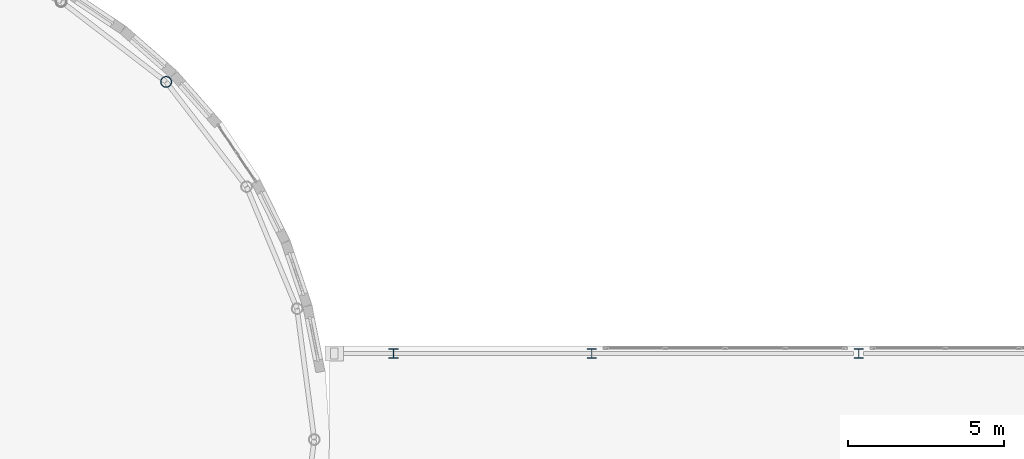
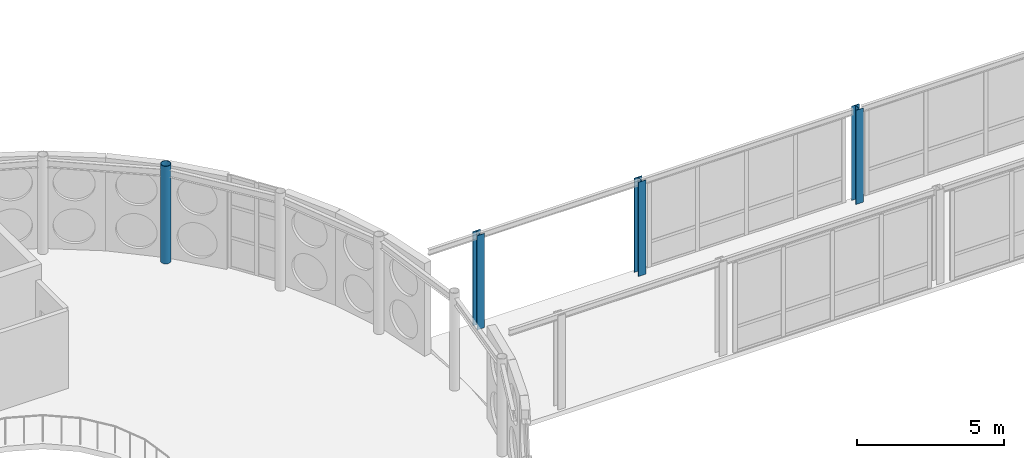
# One storey, part 8 of 165: 4 columns.
"""IFC4 building model written with IfcOpenShell, lengths in metres."""

from ifc_helpers import new_model, si_unit, direction, frame, origin, origin_2d, place, context, subcontext, project, spatial, hollow_circle, i_section, extrude, material, material_profile, profile_set, type_object, element, save


model = new_model("IFC4")

# Units and contexts
model_context = context("Model", 3, precision=1e-05, world=origin(), true_north=direction((0.0, 1.0)))
body_context = subcontext(model_context, "Body", "Model", "MODEL_VIEW")
ifc_project = project(units=[si_unit("LENGTHUNIT", "METRE"), si_unit("AREAUNIT", "SQUARE_METRE"), si_unit("VOLUMEUNIT", "CUBIC_METRE"), si_unit("PLANEANGLEUNIT", "RADIAN"), si_unit("MASSUNIT", "GRAM", prefix="KILO")], contexts=[model_context])

# Site, building, storey
site_placement = place(None, origin())
site = spatial("IfcSite", under=ifc_project, at=site_placement, CompositionType="ELEMENT")
building_placement = place(site_placement, origin())
building = spatial("IfcBuilding", under=site, at=building_placement, Name="Montecoro Central Library", CompositionType="ELEMENT")
storey_placement = place(building_placement, frame((0.0, 0.0, 5.10009765625)))
storey = spatial("IfcBuildingStorey", under=building, at=storey_placement, Name="L01", CompositionType="ELEMENT", Elevation=5.10009765625)

# Columns
ifc_material_1 = material(Name="Steel S355J2", Category="steel")
ifc_material_profile_1 = material_profile(ifc_material_1, hollow_circle(Radius=0.177734375, WallThickness=0.01611328125, at=origin_2d()), Name="CHS 355.6x16.0")
ifc_profile_set_1 = profile_set([ifc_material_profile_1], Name="Steel S355J2")
column_type_1 = type_object("IfcColumnType", Name="COL-CHS356", PredefinedType="COLUMN", material=ifc_profile_set_1)
column_placement = place(storey_placement, frame((103.041015625, 46.841064453125, 0.0), z_axis=(0.0, 0.0, 1.0), x_axis=(1.0, 0.0, 0.0)))
element("IfcColumn", 1, at=column_placement, inside=storey, type_object=column_type_1, Name="V1-L01-DCOL-04", PredefinedType="COLUMN", context=body_context, shape_type="SweptSolid", body=[
    extrude(hollow_circle(Radius=0.177734375, WallThickness=0.01611328125, at=origin_2d()), origin(), (0.0, 0.0, 1.0), 4.054931640625),
])
ifc_material_2 = material(Name="Steel S355", Category="steel")
ifc_material_profile_2 = material_profile(ifc_material_2, i_section(OverallWidth=0.300048828125, OverallDepth=0.300048828125, WebThickness=0.010986328125, FlangeThickness=0.01904296875, at=origin_2d()), Name="HEB 300")
ifc_profile_set_2 = profile_set([ifc_material_profile_2], Name="Steel S355")
column_type_2 = type_object("IfcColumnType", Name="COL-HEB300", PredefinedType="COLUMN", material=ifc_profile_set_2)
for number, where, z_axis, x_axis, name in (
    (2, (110.320068359375, 38.14990234375, 0.0), (0.0, 0.0, 1.0), (1.0, 0.0, 0.0), "BR-SE-L01-COL-1103-381"),
    (3, (116.659912109375, 38.14990234375, 0.0), (0.0, 0.0, 1.0), (1.0, 0.0, 0.0), "BR-SE-L01-COL-1166-381"),
    (4, (125.199951171875, 38.14990234375, 0.0), (0.0, 0.0, 1.0), (1.0, 0.0, 0.0), "BR-SE-L01-COL-1252-381"),
):
    element("IfcColumn", number, at=place(storey_placement, frame(where, z_axis=z_axis, x_axis=x_axis)), inside=storey, type_object=column_type_2, Name=name, PredefinedType="COLUMN", context=body_context, shape_type="SweptSolid", body=[
        extrude(i_section(OverallWidth=0.300048828125, OverallDepth=0.300048828125, WebThickness=0.010986328125, FlangeThickness=0.01904296875, at=origin_2d()), origin(), (0.0, 0.0, 1.0), 3.907958984375),
    ])

save(model, "model.ifc")
